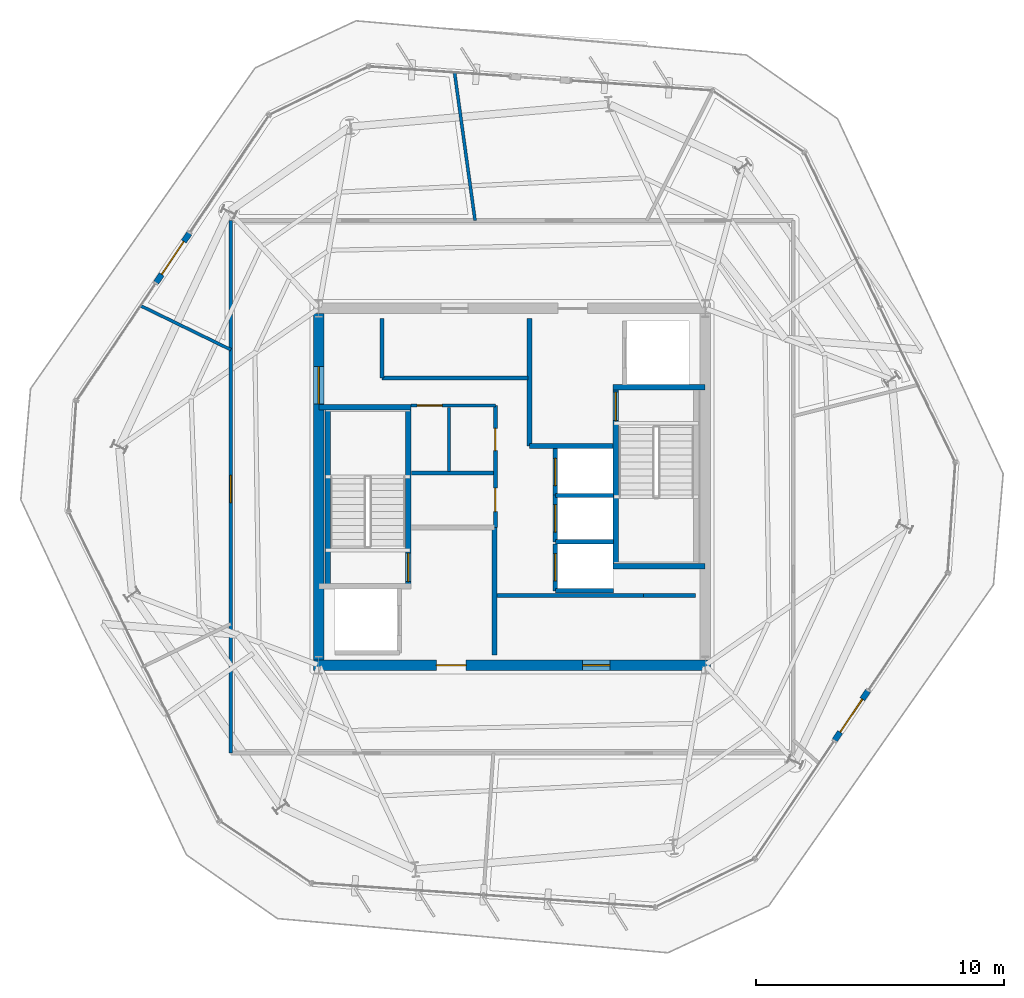
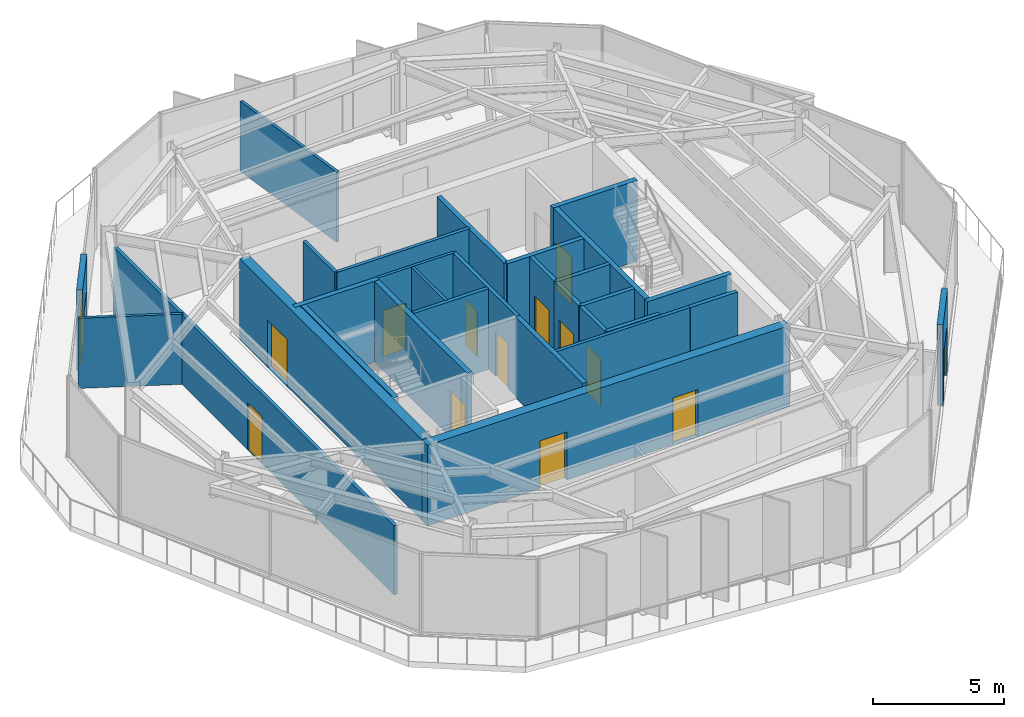
# One storey, part 8 of 12: 30 walls, 14 doors, 14 openings.
"""IFC4 building model written with IfcOpenShell, lengths in metres."""

import ifcopenshell
import ifcopenshell.guid

model = None  # the IFC model being written
_history = None  # IfcOwnerHistory: only IFC2X3 demands one
_inside = {}  # id of a spatial element -> (the spatial element, [elements in it])
_under = {}  # id of a project, library or spatial element -> (it, [spatial elements below it])
_declared = {}  # id of a project -> (the project, [libraries it declares])
_typed = {}  # id of a type object -> (the type object, [elements of that type])
_made_of = {}  # id of a material, layer set ... -> (it, [elements and type objects made of it])


def new_model(schema):
    """Start an empty IFC model of exactly this schema.

    Asked for "IFC4X3", IfcOpenShell would pick the latest addendum, in which some entities
    have other attributes; the version numbers below select the first issue.
    IFC2X3 requires an IfcOwnerHistory on every rooted entity: one is made here for all.
    """
    global model, _history
    if schema == "IFC4X3":
        model = ifcopenshell.file(schema_version=(4, 3, 0, 0))
    else:
        model = ifcopenshell.file(schema=schema)
    _inside.clear()
    _under.clear()
    _declared.clear()
    _typed.clear()
    _made_of.clear()
    _history = None
    if model.schema == "IFC2X3":
        org = make("IfcOrganization", Name="unknown")
        user = make(
            "IfcPersonAndOrganization",
            ThePerson=make("IfcPerson", FamilyName="unknown"),
            TheOrganization=org,
        )
        app = make(
            "IfcApplication",
            ApplicationDeveloper=org,
            Version="unknown",
            ApplicationFullName="unknown",
            ApplicationIdentifier="unknown",
        )
        _history = make(
            "IfcOwnerHistory",
            OwningUser=user,
            OwningApplication=app,
            ChangeAction="ADDED",
            CreationDate=0,
        )
    return model


def make(cls, **values):
    """One entity of the class cls with the attributes given. An attribute that is None is left unset."""
    return model.create_entity(
        cls, **{name: value for name, value in values.items() if value is not None}
    )


def rooted(cls, **values):
    """An entity with a GlobalId (a new one), such as an element, a storey or a relation."""
    return make(cls, GlobalId=ifcopenshell.guid.new(), OwnerHistory=_history, **values)


def si_unit(unit_type, name, prefix=None):
    """IfcSIUnit, for example si_unit("LENGTHUNIT", "METRE", prefix="MILLI")."""
    return make("IfcSIUnit", UnitType=unit_type, Prefix=prefix, Name=name)


def assignment(units):
    """IfcUnitAssignment: the units of a project."""
    return None if units is None else make("IfcUnitAssignment", Units=units)


def point(xyz):
    """IfcCartesianPoint."""
    return None if xyz is None else make("IfcCartesianPoint", Coordinates=xyz)


def direction(xyz):
    """IfcDirection."""
    return None if xyz is None else make("IfcDirection", DirectionRatios=xyz)


def frame(location, z_axis=None, x_axis=None):
    """IfcAxis2Placement3D, a coordinate frame: its origin and axes. An axis left out is left unset."""
    return make(
        "IfcAxis2Placement3D",
        Location=point(location),
        Axis=direction(z_axis),
        RefDirection=direction(x_axis),
    )


def frame_2d(location, x_axis=None):
    """IfcAxis2Placement2D, a coordinate frame in the plane: its origin and x axis."""
    return make(
        "IfcAxis2Placement2D", Location=point(location), RefDirection=direction(x_axis)
    )


def origin():
    """The frame at (0, 0, 0) with its axes left unset."""
    return frame((0.0, 0.0, 0.0))


def place(relative_to, where):
    """IfcLocalPlacement: puts the frame where relative to a parent placement (None: the world)."""
    return make(
        "IfcLocalPlacement", PlacementRelTo=relative_to, RelativePlacement=where
    )


def context(
    kind, dimensions, precision=None, world=None, true_north=None, identifier=None
):
    """IfcGeometricRepresentationContext, for example the 3D "Model" context."""
    return make(
        "IfcGeometricRepresentationContext",
        ContextIdentifier=identifier,
        ContextType=kind,
        CoordinateSpaceDimension=dimensions,
        Precision=precision,
        WorldCoordinateSystem=world,
        TrueNorth=true_north,
    )


def subcontext(parent, identifier, kind, view, scale=None):
    """IfcGeometricRepresentationSubContext, for example "Body" below "Model"."""
    return make(
        "IfcGeometricRepresentationSubContext",
        ContextIdentifier=identifier,
        ContextType=kind,
        ParentContext=parent,
        TargetScale=scale,
        TargetView=view,
    )


def project(units=None, contexts=None):
    """IfcProject with its units and contexts."""
    return rooted(
        "IfcProject",
        Name="project",
        RepresentationContexts=contexts,
        UnitsInContext=assignment(units),
    )


def spatial(cls, under=None, at=None, **own):
    """A site, building, storey or space (cls), placed at a placement, below another one or the project."""
    s = rooted(cls, ObjectPlacement=at, **own)
    if under is not None:
        _under.setdefault(under.id(), (under, []))[1].append(s)
    return s


def profile(cls, at=None, kind="AREA", **sizes):
    """A parametric profile (cls). Its sizes go by their IFC names, for example OverallWidth=200.0."""
    return make(cls, ProfileType=kind, Position=at, **sizes)


def rectangle(**sizes):
    """IfcRectangleProfileDef."""
    return profile("IfcRectangleProfileDef", **sizes)


def extrude(swept, where, along, depth):
    """IfcExtrudedAreaSolid: the profile swept, set in the frame where, extruded along a direction by depth."""
    return make(
        "IfcExtrudedAreaSolid",
        SweptArea=swept,
        Position=where,
        ExtrudedDirection=direction(along),
        Depth=depth,
    )


def shape(context_of_items, identifier, shape_type, items):
    """IfcShapeRepresentation: the items that make up one representation, for example the "Body"."""
    return make(
        "IfcShapeRepresentation",
        ContextOfItems=context_of_items,
        RepresentationIdentifier=identifier,
        RepresentationType=shape_type,
        Items=items,
    )


def material(Name=None, Category=None):
    """IfcMaterial."""
    return make("IfcMaterial", Name=Name, Category=Category)


def layer(
    of_material, thickness, ventilated=None, Name=None, Category=None, Priority=None
):
    """IfcMaterialLayer: one layer of a wall or slab, of a material (None: an air gap)."""
    return make(
        "IfcMaterialLayer",
        Material=of_material,
        LayerThickness=thickness,
        IsVentilated=ventilated,
        Name=Name,
        Category=Category,
        Priority=Priority,
    )


def layer_set(layers, Name=None):
    """IfcMaterialLayerSet."""
    return make("IfcMaterialLayerSet", MaterialLayers=layers, LayerSetName=Name)


def made_of(thing, what):
    """Note that an element or type object is made of a material, layer set ...; save() writes the relation."""
    if what is not None:
        _made_of.setdefault(what.id(), (what, []))[1].append(thing)
    return thing


def type_object(cls, material=None, **own):
    """A type object (cls), such as IfcWallType, which elements share."""
    return made_of(rooted(cls, **own), material)


def element(
    cls,
    number,
    at=None,
    inside=None,
    cuts=None,
    type_object=None,
    material=None,
    context=None,
    identifier="Body",
    shape_type=None,
    held_by="IfcProductDefinitionShape",
    body=None,
    shapes=None,
    **own,
):
    """One element of the class cls, such as IfcWall. Its Tag is "e" and its number.

    at: its placement. inside: the storey or other place that contains it. cuts: it is an
    opening in that element (IfcRelVoidsElement). A single representation is given by context,
    identifier, shape_type and body (its items); several are given by shapes. held_by: the class
    of the entity that holds the representations. save() writes the other relations.
    """
    e = rooted(cls, Tag="e%d" % number, ObjectPlacement=at, **own)
    if body is not None:
        shapes = [shape(context, identifier, shape_type, body)]
    if shapes is not None:
        e.Representation = make(held_by, Representations=shapes)
    if inside is not None:
        _inside.setdefault(inside.id(), (inside, []))[1].append(e)
    if cuts is not None:
        rooted(
            "IfcRelVoidsElement", RelatingBuildingElement=cuts, RelatedOpeningElement=e
        )
    if type_object is not None:
        _typed.setdefault(type_object.id(), (type_object, []))[1].append(e)
    return made_of(e, material)


def fill(opening, filler):
    """IfcRelFillsElement: the door or window that sits in an opening."""
    return rooted(
        "IfcRelFillsElement",
        RelatingOpeningElement=opening,
        RelatedBuildingElement=filler,
    )


def aggregate(whole, parts):
    """IfcRelAggregates: a whole, such as a stair, and the parts it consists of."""
    return rooted("IfcRelAggregates", RelatingObject=whole, RelatedObjects=parts)


def save(model, path):
    """Write the relations noted so far, then the file.

    IfcRelAggregates (storeys below a building ...), IfcRelContainedInSpatialStructure (elements
    in a storey), IfcRelDefinesByType, IfcRelAssociatesMaterial and IfcRelDeclares: one each for
    every whole, place, type object, material and project.
    """
    for whole, parts in _under.values():
        aggregate(whole, parts)
    for where, things in _inside.values():
        rooted(
            "IfcRelContainedInSpatialStructure",
            RelatedElements=things,
            RelatingStructure=where,
        )
    for kind, things in _typed.values():
        rooted("IfcRelDefinesByType", RelatedObjects=things, RelatingType=kind)
    for what, things in _made_of.values():
        rooted("IfcRelAssociatesMaterial", RelatedObjects=things, RelatingMaterial=what)
    for by, libraries in _declared.values():
        rooted("IfcRelDeclares", RelatingContext=by, RelatedDefinitions=libraries)
    model.write(path)


model = new_model("IFC4")

# Units and contexts
model_context = context("Model", 3, precision=1e-05, world=origin(), true_north=direction((0.0, 1.0)))
body_context = subcontext(model_context, "Body", "Model", "MODEL_VIEW")
ifc_project = project(units=[si_unit("LENGTHUNIT", "METRE"), si_unit("AREAUNIT", "SQUARE_METRE"), si_unit("VOLUMEUNIT", "CUBIC_METRE"), si_unit("PLANEANGLEUNIT", "RADIAN"), si_unit("MASSUNIT", "GRAM", prefix="KILO")], contexts=[model_context])

# Site, building, storey
site_placement = place(None, origin())
site = spatial("IfcSite", under=ifc_project, at=site_placement, CompositionType="ELEMENT")
building_placement = place(site_placement, origin())
building = spatial("IfcBuilding", under=site, at=building_placement, Name="Kranzbogen Civic Tower", CompositionType="ELEMENT")
storey_placement = place(building_placement, frame((0.0, 0.0, 250.199951171875)))
storey = spatial("IfcBuildingStorey", under=building, at=storey_placement, Name="L60", CompositionType="ELEMENT", Elevation=250.199951171875)

# Walls
ifc_material_1 = material(Name="Double-Stud Acoustic Gypsum Partition")
ifc_layer_1 = layer(ifc_material_1, 0.14990234375, Name="Double-Stud Acoustic Gypsum Partition")
ifc_layer_set_1 = layer_set([ifc_layer_1], Name="Double-Stud Acoustic Gypsum Partition")
wall_type_1 = type_object("IfcWallType", Name="Acoustic Corridor and Clinical Partition 150 mm", PredefinedType="PARTITIONING", material=ifc_layer_set_1)
wall_1_placement = place(storey_placement, frame((24.39990234375, 20.610107421875, 0.0), z_axis=(0.0, 0.0, 1.0), x_axis=(1.0, 0.0, 0.0)))
element("IfcWall", 1, at=wall_1_placement, inside=storey, type_object=wall_type_1, Name="L60 records zone North wall", PredefinedType="PARTITIONING", context=body_context, shape_type="SweptSolid", body=[
    extrude(rectangle(XDim=5.900146484375, YDim=0.14990234375, at=frame_2d((2.9501953125, 0.0))), origin(), (0.0, 0.0, 1.0), 3.780029296875),
])
wall_2_placement = place(storey_placement, frame((19.75, 29.389892578125, 0.0), z_axis=(0.0, 0.0, 1.0), x_axis=(1.0, 0.0, 0.0)))
element("IfcWall", 2, at=wall_2_placement, inside=storey, type_object=wall_type_1, Name="L60 digital comms South wall", PredefinedType="PARTITIONING", context=body_context, shape_type="SweptSolid", body=[
    extrude(rectangle(XDim=5.89990234375, YDim=0.14990234375, at=frame_2d((2.949951171875, 0.0))), origin(), (0.0, 0.0, 1.0), 3.780029296875),
])
wall_3_placement = place(storey_placement, frame((19.75, 29.389892578125, 0.0), z_axis=(0.0, 0.0, 1.0), x_axis=(0.0, 1.0, 0.0)))
element("IfcWall", 3, at=wall_3_placement, inside=storey, type_object=wall_type_1, Name="L60 digital comms West wall", PredefinedType="PARTITIONING", context=body_context, shape_type="SweptSolid", body=[
    extrude(rectangle(XDim=2.41015625, YDim=0.14990234375, at=frame_2d((1.205078125, 0.0))), origin(), (0.0, 0.0, 1.0), 3.780029296875),
])

# Wall, opening, door
wall_4_placement = place(storey_placement, frame((13.64990234375, 14.25, 0.0), z_axis=(0.0, 0.0, 1.0), x_axis=(0.0, 1.0, 0.0)))
wall_4 = element("IfcWall", 4, at=wall_4_placement, inside=storey, type_object=wall_type_1, Name="L60 corridor partition 04", PredefinedType="PARTITIONING", context=body_context, shape_type="SweptSolid", body=[
    extrude(rectangle(XDim=21.5, YDim=0.14990234375, at=frame_2d((10.75, 0.0))), origin(), (0.0, 0.0, 1.0), 3.25),
])
opening_1_placement = place(wall_4_placement, frame((10.110107421875, 0.0, 0.0)))
opening_1 = element("IfcOpeningElement", 5, at=opening_1_placement, cuts=wall_4, Name="Opening D-COR60", PredefinedType="OPENING", context=body_context, shape_type="SweptSolid", body=[
    extrude(rectangle(XDim=1.10009765625, YDim=2.199951171875, at=frame_2d((0.550048828125, 1.10009765625))), frame((0.0, 0.0849609375, 0.0), z_axis=(0.0, -1.0, 0.0), x_axis=(1.0, 0.0, 0.0)), (0.0, 0.0, 1.0), 0.169921875),
])
ifc_material_2 = material(Name="Oak Timber and Fire Core", Category="wood")
door_type_1 = type_object("IfcDoorType", Name="Corridor Acoustic Fire Door 1100x2200", OperationType="NOTDEFINED", PredefinedType="DOOR", material=ifc_material_2)
door_1_placement = place(opening_1_placement, origin())
door_1 = element("IfcDoor", 6, at=door_1_placement, inside=storey, type_object=door_type_1, Name="L60 Public Delegation Reception door", OperationType="SINGLE_SWING_RIGHT", OverallHeight=2.199951171875, OverallWidth=1.10009765625, PredefinedType="DOOR", context=body_context, shape_type="SweptSolid", body=[
    extrude(rectangle(XDim=1.10009765625, YDim=2.199951171875, at=frame_2d((0.550048828125, 1.10009765625))), frame((0.0, 0.02490234375, 0.0), z_axis=(0.0, -1.0, 0.0), x_axis=(1.0, 0.0, 0.0)), (0.0, 0.0, 1.0), 0.050048828125),
])
fill(opening_1, door_1)

ifc_material_3 = material(Name="Insulated Metal-Stud Gypsum Partition")
ifc_layer_2 = layer(ifc_material_3, 0.125, Name="Insulated Metal-Stud Gypsum Partition")
ifc_layer_set_2 = layer_set([ifc_layer_2], Name="Insulated Metal-Stud Gypsum Partition")
wall_type_2 = type_object("IfcWallType", Name="Acoustic Inter-Room Partition 125 mm", PredefinedType="PARTITIONING", material=ifc_layer_set_2)
wall_5_placement = place(storey_placement, frame((20.919921875, 28.280029296875, 0.0), z_axis=(0.0, 0.0, 1.0), x_axis=(1.0, 0.0, 0.0)))
wall_5 = element("IfcWall", 7, at=wall_5_placement, inside=storey, type_object=wall_type_2, Name="L60 core auxiliary North wall", PredefinedType="PARTITIONING", context=body_context, shape_type="SweptSolid", body=[
    extrude(rectangle(XDim=3.405029296875, YDim=0.125, at=frame_2d((1.70263671875, 0.0))), origin(), (0.0, 0.0, 1.0), 3.780029296875),
])
opening_2_placement = place(wall_5_placement, frame((0.2548828125, 0.0, 0.0)))
opening_2 = element("IfcOpeningElement", 8, at=opening_2_placement, cuts=wall_5, Name="Opening D-RSR10", PredefinedType="OPENING", context=body_context, shape_type="SweptSolid", body=[
    extrude(rectangle(XDim=1.0, YDim=2.14990234375, at=frame_2d((0.5, 1.074951171875))), frame((0.0, 0.072509765625, 0.0), z_axis=(0.0, -1.0, 0.0), x_axis=(1.0, 0.0, 0.0)), (0.0, 0.0, 1.0), 0.14501953125),
])
door_type_2 = type_object("IfcDoorType", Name="Core Archive and Riser Fire Door 1000x2150", OperationType="NOTDEFINED", PredefinedType="DOOR", material=ifc_material_2)
door_2_placement = place(opening_2_placement, origin())
door_2 = element("IfcDoor", 9, at=door_2_placement, inside=storey, type_object=door_type_2, Name="L60 Telecom and Riser Room door", OperationType="SINGLE_SWING_RIGHT", OverallHeight=2.14990234375, OverallWidth=1.0, PredefinedType="DOOR", context=body_context, shape_type="SweptSolid", body=[
    extrude(rectangle(XDim=1.0, YDim=2.14990234375, at=frame_2d((0.5, 1.074951171875))), frame((0.0, 0.02490234375, 0.0), z_axis=(0.0, -1.0, 0.0), x_axis=(1.0, 0.0, 0.0)), (0.0, 0.0, 1.0), 0.050048828125),
])
fill(opening_2, door_2)

# Walls
wall_6_placement = place(storey_placement, frame((22.4599609375, 25.6201171875, 0.0), z_axis=(0.0, 0.0, 1.0), x_axis=(0.0, 1.0, 0.0)))
element("IfcWall", 10, at=wall_6_placement, inside=storey, type_object=wall_type_2, Name="L60 core auxiliary partition 2", PredefinedType="PARTITIONING", context=body_context, shape_type="SweptSolid", body=[
    extrude(rectangle(XDim=2.579833984375, YDim=0.125, at=frame_2d((1.2900390625, 0.0))), origin(), (0.0, 0.0, 1.0), 3.780029296875),
])
wall_7_placement = place(storey_placement, frame((23.509033203125, 35.75, 0.0), z_axis=(0.0, 0.0, 1.0), x_axis=(-0.137333830572, 0.990524819972, 0.0)))
element("IfcWall", 11, at=wall_7_placement, inside=storey, type_object=wall_type_2, Name="L60 radial room partition 01", PredefinedType="PARTITIONING", context=body_context, shape_type="SweptSolid", body=[
    extrude(rectangle(XDim=6.013916015625, YDim=0.125, at=frame_2d((3.0068359375, 0.0))), origin(), (0.0, 0.0, 1.0), 3.280029296875),
])
wall_8_placement = place(storey_placement, frame((13.64990234375, 30.532958984375, 0.0), z_axis=(0.0, 0.0, 1.0), x_axis=(-0.898829990628, 0.438297442324, 0.0)))
element("IfcWall", 12, at=wall_8_placement, inside=storey, type_object=wall_type_2, Name="L60 radial room partition 02", PredefinedType="PARTITIONING", context=body_context, shape_type="SweptSolid", body=[
    extrude(rectangle(XDim=4.04052734375, YDim=0.125, at=frame_2d((2.020263671875, 0.0))), origin(), (0.0, 0.0, 1.0), 3.280029296875),
])

# Wall, openings, doors
ifc_material_4 = material(Name="Concrete C45/55", Category="concrete")
ifc_layer_3 = layer(ifc_material_4, 0.419921875, Name="Concrete C45/55")
ifc_layer_set_3 = layer_set([ifc_layer_3], Name="Concrete C45/55")
wall_type_3 = type_object("IfcWallType", Name="Central Core Shear Wall 420 mm", PredefinedType="SHEAR", material=ifc_layer_set_3)
wall_9_placement = place(storey_placement, frame((16.989990234375, 17.800048828125, 0.0), z_axis=(0.0, 0.0, 1.0), x_axis=(1.0, 0.0, 0.0)))
wall_9 = element("IfcWall", 13, at=wall_9_placement, inside=storey, type_object=wall_type_3, Name="L60 central core South shear wall", PredefinedType="SHEAR", context=body_context, shape_type="SweptSolid", body=[
    extrude(rectangle(XDim=16.02001953125, YDim=0.419921875, at=frame_2d((8.010009765625, 0.0))), origin(), (0.0, 0.0, 1.0), 3.780029296875),
])
opening_3_placement = place(wall_9_placement, frame((4.9599609375, 0.0, 0.0)))
opening_3 = element("IfcOpeningElement", 14, at=opening_3_placement, cuts=wall_9, Name="Opening D-EX120", PredefinedType="OPENING", context=body_context, shape_type="SweptSolid", body=[
    extrude(rectangle(XDim=1.199951171875, YDim=2.25, at=frame_2d((0.60009765625, 1.125))), frame((0.0, 0.219970703125, 0.0), z_axis=(0.0, -1.0, 0.0), x_axis=(1.0, 0.0, 0.0)), (0.0, 0.0, 1.0), 0.43994140625),
])
opening_4_placement = place(wall_9_placement, frame((10.860107421875, 0.0, 0.0)))
opening_4 = element("IfcOpeningElement", 15, at=opening_4_placement, cuts=wall_9, Name="Opening D-COR60", PredefinedType="OPENING", context=body_context, shape_type="SweptSolid", body=[
    extrude(rectangle(XDim=1.10009765625, YDim=2.199951171875, at=frame_2d((0.550048828125, 1.10009765625))), frame((0.0, 0.219970703125, 0.0), z_axis=(0.0, -1.0, 0.0), x_axis=(1.0, 0.0, 0.0)), (0.0, 0.0, 1.0), 0.43994140625),
])
door_3_placement = place(opening_4_placement, origin())
door_3 = element("IfcDoor", 16, at=door_3_placement, inside=storey, type_object=door_type_1, Name="L60 REC1 archive room door", OperationType="SINGLE_SWING_RIGHT", OverallHeight=2.199951171875, OverallWidth=1.10009765625, PredefinedType="DOOR", context=body_context, shape_type="SweptSolid", body=[
    extrude(rectangle(XDim=1.10009765625, YDim=2.199951171875, at=frame_2d((0.550048828125, 1.10009765625))), frame((0.0, 0.02490234375, 0.0), z_axis=(0.0, -1.0, 0.0), x_axis=(1.0, 0.0, 0.0)), (0.0, 0.0, 1.0), 0.050048828125),
])
fill(opening_4, door_3)
ifc_material_5 = material(Name="Steel S355", Category="steel")
door_type_3 = type_object("IfcDoorType", Name="Exit Passageway Fire Door 1200x2250", OperationType="NOTDEFINED", PredefinedType="DOOR", material=ifc_material_5)
door_4_placement = place(opening_3_placement, origin())
door_4 = element("IfcDoor", 17, at=door_4_placement, inside=storey, type_object=door_type_3, Name="L60 West firefighting lobby corridor door", OperationType="SINGLE_SWING_LEFT", OverallHeight=2.25, OverallWidth=1.199951171875, PredefinedType="DOOR", context=body_context, shape_type="SweptSolid", body=[
    extrude(rectangle(XDim=1.199951171875, YDim=2.25, at=frame_2d((0.60009765625, 1.125))), frame((0.0, 0.02490234375, 0.0), z_axis=(0.0, -1.0, 0.0), x_axis=(1.0, 0.0, 0.0)), (0.0, 0.0, 1.0), 0.050048828125),
])
fill(opening_3, door_4)

# Wall, opening, door
wall_10_placement = place(storey_placement, frame((17.199951171875, 31.989990234375, 0.0), z_axis=(0.0, 0.0, 1.0), x_axis=(0.0, -1.0, 0.0)))
wall_10 = element("IfcWall", 18, at=wall_10_placement, inside=storey, type_object=wall_type_3, Name="L60 central core West shear wall", PredefinedType="SHEAR", context=body_context, shape_type="SweptSolid", body=[
    extrude(rectangle(XDim=13.97998046875, YDim=0.419921875, at=frame_2d((6.989990234375, 0.0))), origin(), (0.0, 0.0, 1.0), 3.780029296875),
])
opening_5_placement = place(wall_10_placement, frame((2.139892578125, 0.0, 0.0)))
opening_5 = element("IfcOpeningElement", 19, at=opening_5_placement, cuts=wall_10, Name="Opening D-DBL15", PredefinedType="OPENING", context=body_context, shape_type="SweptSolid", body=[
    extrude(rectangle(XDim=1.5, YDim=2.199951171875, at=frame_2d((0.75, 1.10009765625))), frame((0.0, 0.219970703125, 0.0), z_axis=(0.0, -1.0, 0.0), x_axis=(1.0, 0.0, 0.0)), (0.0, 0.0, 1.0), 0.43994140625),
])
ifc_material_6 = material(Name="Anodised Bronze and Glass", Category="glass")
door_type_4 = type_object("IfcDoorType", Name="Civic Lobby Double Door 1500x2200", OperationType="DOUBLE_DOOR_SINGLE_SWING", PredefinedType="DOOR", material=ifc_material_6)
door_5_placement = place(opening_5_placement, origin())
door_5 = element("IfcDoor", 20, at=door_5_placement, inside=storey, type_object=door_type_4, Name="L60 Central Lift Lobby West concourse door", OperationType="DOUBLE_DOOR_SINGLE_SWING", OverallHeight=2.199951171875, OverallWidth=1.5, PredefinedType="DOOR", context=body_context, shape_type="SweptSolid", body=[
    extrude(rectangle(XDim=1.5, YDim=2.199951171875, at=frame_2d((0.75, 1.10009765625))), frame((0.0, 0.02490234375, 0.0), z_axis=(0.0, -1.0, 0.0), x_axis=(1.0, 0.0, 0.0)), (0.0, 0.0, 1.0), 0.050048828125),
])
fill(opening_5, door_5)

ifc_layer_4 = layer(ifc_material_4, 0.219970703125, Name="Concrete C45/55")
ifc_layer_set_4 = layer_set([ifc_layer_4], Name="Concrete C45/55")
wall_type_4 = type_object("IfcWallType", Name="Core Internal Stair Structural Wall 220 mm", PredefinedType="SOLIDWALL", material=ifc_layer_set_4)
wall_11_placement = place(storey_placement, frame((20.81005859375, 20.989990234375, 0.0), z_axis=(0.0, 0.0, 1.0), x_axis=(0.0, 1.0, 0.0)))
wall_11 = element("IfcWall", 21, at=wall_11_placement, inside=storey, type_object=wall_type_4, Name="L60 ST-T1 East structural stair wall", PredefinedType="SOLIDWALL", context=body_context, shape_type="SweptSolid", body=[
    extrude(rectangle(XDim=7.219970703125, YDim=0.219970703125, at=frame_2d((3.60986328125, 0.0))), origin(), (0.0, 0.0, 1.0), 3.780029296875),
])
opening_6_placement = place(wall_11_placement, frame((0.179931640625, 0.0, 0.0)))
opening_6 = element("IfcOpeningElement", 22, at=opening_6_placement, cuts=wall_11, Name="Opening D-ST90", PredefinedType="OPENING", context=body_context, shape_type="SweptSolid", body=[
    extrude(rectangle(XDim=1.14990234375, YDim=2.199951171875, at=frame_2d((0.574951171875, 1.10009765625))), frame((0.0, 0.1201171875, 0.0), z_axis=(0.0, -1.0, 0.0), x_axis=(1.0, 0.0, 0.0)), (0.0, 0.0, 1.0), 0.239990234375),
])
door_type_5 = type_object("IfcDoorType", Name="Pressurized Stair and Lobby Fire Door 1150x2200", OperationType="NOTDEFINED", PredefinedType="DOOR", material=ifc_material_5)
door_6_placement = place(opening_6_placement, origin())
door_6 = element("IfcDoor", 23, at=door_6_placement, inside=storey, type_object=door_type_5, Name="L60 Stair ST-T1 fire door", OperationType="SINGLE_SWING_LEFT", OverallHeight=2.199951171875, OverallWidth=1.14990234375, PredefinedType="DOOR", context=body_context, shape_type="SweptSolid", body=[
    extrude(rectangle(XDim=1.14990234375, YDim=2.199951171875, at=frame_2d((0.574951171875, 1.10009765625))), frame((0.0, 0.02490234375, 0.0), z_axis=(0.0, -1.0, 0.0), x_axis=(1.0, 0.0, 0.0)), (0.0, 0.0, 1.0), 0.050048828125),
])
fill(opening_6, door_6)

# Walls
wall_12_placement = place(storey_placement, frame((17.199951171875, 28.2099609375, 0.0), z_axis=(0.0, 0.0, 1.0), x_axis=(1.0, 0.0, 0.0)))
element("IfcWall", 24, at=wall_12_placement, inside=storey, type_object=wall_type_4, Name="L60 ST-T1 North structural stair wall", PredefinedType="SOLIDWALL", context=body_context, shape_type="SweptSolid", body=[
    extrude(rectangle(XDim=3.719970703125, YDim=0.219970703125, at=frame_2d((1.85986328125, 0.0))), origin(), (0.0, 0.0, 1.0), 3.780029296875),
])
wall_13_placement = place(storey_placement, frame((17.554931640625, 28.2099609375, 0.0), z_axis=(0.0, 0.0, 1.0), x_axis=(0.0, -1.0, 0.0)))
element("IfcWall", 25, at=wall_13_placement, inside=storey, type_object=wall_type_4, Name="L60 ST-T1 West structural stair wall", PredefinedType="SOLIDWALL", context=body_context, shape_type="SweptSolid", body=[
    extrude(rectangle(XDim=7.219970703125, YDim=0.219970703125, at=frame_2d((3.60986328125, 0.0))), origin(), (0.0, 0.0, 1.0), 3.780029296875),
])

# Wall, opening, door
wall_14_placement = place(storey_placement, frame((29.18994140625, 21.7900390625, 0.0), z_axis=(0.0, 0.0, 1.0), x_axis=(0.0, 1.0, 0.0)))
wall_14 = element("IfcWall", 26, at=wall_14_placement, inside=storey, type_object=wall_type_4, Name="L60 ST-T2 West structural stair wall", PredefinedType="SOLIDWALL", context=body_context, shape_type="SweptSolid", body=[
    extrude(rectangle(XDim=7.219970703125, YDim=0.219970703125, at=frame_2d((3.60986328125, 0.0))), origin(), (0.0, 0.0, 1.0), 3.780029296875),
])
opening_7_placement = place(wall_14_placement, frame((5.8798828125, 0.0, 0.0)))
opening_7 = element("IfcOpeningElement", 27, at=opening_7_placement, cuts=wall_14, Name="Opening D-ST90", PredefinedType="OPENING", context=body_context, shape_type="SweptSolid", body=[
    extrude(rectangle(XDim=1.14990234375, YDim=2.199951171875, at=frame_2d((0.574951171875, 1.10009765625))), frame((0.0, 0.1201171875, 0.0), z_axis=(0.0, -1.0, 0.0), x_axis=(1.0, 0.0, 0.0)), (0.0, 0.0, 1.0), 0.239990234375),
])
door_7_placement = place(opening_7_placement, origin())
door_7 = element("IfcDoor", 28, at=door_7_placement, inside=storey, type_object=door_type_5, Name="L60 Stair ST-T2 fire door", OperationType="SINGLE_SWING_RIGHT", OverallHeight=2.199951171875, OverallWidth=1.14990234375, PredefinedType="DOOR", context=body_context, shape_type="SweptSolid", body=[
    extrude(rectangle(XDim=1.14990234375, YDim=2.199951171875, at=frame_2d((0.574951171875, 1.10009765625))), frame((0.0, 0.02490234375, 0.0), z_axis=(0.0, -1.0, 0.0), x_axis=(1.0, 0.0, 0.0)), (0.0, 0.0, 1.0), 0.050048828125),
])
fill(opening_7, door_7)

# Walls
for number, where, z_axis, x_axis, name in (
    (29, (29.080078125, 21.7900390625, 0.0), (0.0, 0.0, 1.0), (1.0, 0.0, 0.0), "L60 ST-T2 South structural stair wall"),
    (30, (29.080078125, 29.010009765625, 0.0), (0.0, 0.0, 1.0), (1.0, 0.0, 0.0), "L60 ST-T2 North structural stair wall"),
):
    element("IfcWall", number, at=place(storey_placement, frame(where, z_axis=z_axis, x_axis=x_axis)), inside=storey, type_object=wall_type_4, Name=name, PredefinedType="SOLIDWALL", context=body_context, shape_type="SweptSolid", body=[
        extrude(rectangle(XDim=3.719970703125, YDim=0.219970703125, at=frame_2d((1.85986328125, 0.0))), origin(), (0.0, 0.0, 1.0), 3.780029296875),
    ])
ifc_material_7 = material(Name="Gypsum Fireboard and Concrete Block", Category="concrete")
ifc_layer_5 = layer(ifc_material_7, 0.199951171875, Name="Gypsum Fireboard and Concrete Block")
ifc_layer_set_5 = layer_set([ifc_layer_5], Name="Gypsum Fireboard and Concrete Block")
wall_type_5 = type_object("IfcWallType", Name="Fire-Rated Exit Passageway and Stair Wall 200 mm", PredefinedType="PARTITIONING", material=ifc_layer_set_5)
for number, where, z_axis, x_axis, name in (
    (31, (24.300048828125, 18.199951171875, 0.0), (0.0, 0.0, 1.0), (0.0, 1.0, 0.0), "L60 West firefighting lobby East wall"),
    (32, (25.699951171875, 26.64990234375, 0.0), (0.0, 0.0, 1.0), (0.0, 1.0, 0.0), "L60 East firefighting lobby West wall"),
):
    element("IfcWall", number, at=place(storey_placement, frame(where, z_axis=z_axis, x_axis=x_axis)), inside=storey, type_object=wall_type_5, Name=name, PredefinedType="PARTITIONING", context=body_context, shape_type="SweptSolid", body=[
        extrude(rectangle(XDim=5.150146484375, YDim=0.199951171875, at=frame_2d((2.5751953125, 0.0))), origin(), (0.0, 0.0, 1.0), 3.780029296875),
    ])
wall_15_placement = place(storey_placement, frame((25.699951171875, 26.64990234375, 0.0), z_axis=(0.0, 0.0, 1.0), x_axis=(1.0, 0.0, 0.0)))
element("IfcWall", 33, at=wall_15_placement, inside=storey, type_object=wall_type_5, Name="L60 East firefighting lobby South wall", PredefinedType="PARTITIONING", context=body_context, shape_type="SweptSolid", body=[
    extrude(rectangle(XDim=3.380126953125, YDim=0.199951171875, at=frame_2d((1.68994140625, 0.0))), origin(), (0.0, 0.0, 1.0), 3.780029296875),
])
ifc_material_8 = material(Name="Gypsum Fireboard Shaftliner")
ifc_layer_6 = layer(ifc_material_8, 0.175048828125, Name="Gypsum Fireboard Shaftliner")
ifc_layer_set_6 = layer_set([ifc_layer_6], Name="Gypsum Fireboard Shaftliner")
wall_type_6 = type_object("IfcWallType", Name="Fire-Rated Lift and Service Shaft Wall 175 mm", PredefinedType="PARTITIONING", material=ifc_layer_set_6)
wall_16_placement = place(storey_placement, frame((30.300048828125, 20.610107421875, 0.0), z_axis=(0.0, 0.0, 1.0), x_axis=(1.0, 0.0, 0.0)))
element("IfcWall", 34, at=wall_16_placement, inside=storey, type_object=wall_type_6, Name="L60 merged archive North wall", PredefinedType="PARTITIONING", context=body_context, shape_type="SweptSolid", body=[
    extrude(rectangle(XDim=2.099853515625, YDim=0.175048828125, at=frame_2d((1.0498046875, 0.0))), origin(), (0.0, 0.0, 1.0), 3.780029296875),
])

# Wall, opening, door
wall_17_placement = place(storey_placement, frame((26.75, 20.800048828125, 0.0), z_axis=(0.0, 0.0, 1.0), x_axis=(0.0, 1.0, 0.0)))
wall_17 = element("IfcWall", 35, at=wall_17_placement, inside=storey, type_object=wall_type_6, Name="L60 lift HP-01 landing wall", PredefinedType="PARTITIONING", context=body_context, shape_type="SweptSolid", body=[
    extrude(rectangle(XDim=1.89990234375, YDim=0.175048828125, at=frame_2d((0.949951171875, 0.0))), origin(), (0.0, 0.0, 1.0), 3.780029296875),
])
opening_8_placement = place(wall_17_placement, frame((0.39990234375, 0.0, 0.0)))
opening_8 = element("IfcOpeningElement", 36, at=opening_8_placement, cuts=wall_17, Name="Opening LD-HP-01", PredefinedType="OPENING", context=body_context, shape_type="SweptSolid", body=[
    extrude(rectangle(XDim=1.10009765625, YDim=2.199951171875, at=frame_2d((0.550048828125, 1.10009765625))), frame((0.0, 0.09765625, 0.0), z_axis=(0.0, -1.0, 0.0), x_axis=(1.0, 0.0, 0.0)), (0.0, 0.0, 1.0), 0.195068359375),
])
ifc_material_9 = material(Name="Pale Anodised Aluminium", Category="aluminium")
door_type_6 = type_object("IfcDoorType", Name="Passenger Lift Sliding Landing Door 1100x2200", OperationType="DOUBLE_DOOR_SLIDING", PredefinedType="DOOR", material=ifc_material_9)
door_8_placement = place(opening_8_placement, origin())
door_8 = element("IfcDoor", 37, at=door_8_placement, inside=storey, type_object=door_type_6, Name="L60 lift HP-01 sliding landing door", OperationType="DOUBLE_DOOR_SLIDING", OverallHeight=2.199951171875, OverallWidth=1.10009765625, PredefinedType="DOOR", context=body_context, shape_type="SweptSolid", body=[
    extrude(rectangle(XDim=1.10009765625, YDim=2.199951171875, at=frame_2d((0.550048828125, 1.10009765625))), frame((0.0, 0.02490234375, 0.0), z_axis=(0.0, -1.0, 0.0), x_axis=(1.0, 0.0, 0.0)), (0.0, 0.0, 1.0), 0.050048828125),
])
fill(opening_8, door_8)

# Wall
wall_18_placement = place(storey_placement, frame((26.75, 20.800048828125, 0.0), z_axis=(0.0, 0.0, 1.0), x_axis=(1.0, 0.0, 0.0)))
element("IfcWall", 38, at=wall_18_placement, inside=storey, type_object=wall_type_6, Name="L60 lift HP-01 side wall", PredefinedType="PARTITIONING", context=body_context, shape_type="SweptSolid", body=[
    extrude(rectangle(XDim=2.35009765625, YDim=0.175048828125, at=frame_2d((1.175048828125, 0.0))), origin(), (0.0, 0.0, 1.0), 3.780029296875),
])

# Wall, opening, door
wall_19_placement = place(storey_placement, frame((26.75, 22.77490234375, 0.0), z_axis=(0.0, 0.0, 1.0), x_axis=(0.0, 1.0, 0.0)))
wall_19 = element("IfcWall", 39, at=wall_19_placement, inside=storey, type_object=wall_type_6, Name="L60 lift HP-02 landing wall", PredefinedType="PARTITIONING", context=body_context, shape_type="SweptSolid", body=[
    extrude(rectangle(XDim=1.900146484375, YDim=0.175048828125, at=frame_2d((0.9501953125, 0.0))), origin(), (0.0, 0.0, 1.0), 3.780029296875),
])
opening_9_placement = place(wall_19_placement, frame((0.39990234375, 0.0, 0.0)))
opening_9 = element("IfcOpeningElement", 40, at=opening_9_placement, cuts=wall_19, Name="Opening LD-HP-02", PredefinedType="OPENING", context=body_context, shape_type="SweptSolid", body=[
    extrude(rectangle(XDim=1.10009765625, YDim=2.199951171875, at=frame_2d((0.550048828125, 1.10009765625))), frame((0.0, 0.09765625, 0.0), z_axis=(0.0, -1.0, 0.0), x_axis=(1.0, 0.0, 0.0)), (0.0, 0.0, 1.0), 0.195068359375),
])
door_9_placement = place(opening_9_placement, origin())
door_9 = element("IfcDoor", 41, at=door_9_placement, inside=storey, type_object=door_type_6, Name="L60 lift HP-02 sliding landing door", OperationType="DOUBLE_DOOR_SLIDING", OverallHeight=2.199951171875, OverallWidth=1.10009765625, PredefinedType="DOOR", context=body_context, shape_type="SweptSolid", body=[
    extrude(rectangle(XDim=1.10009765625, YDim=2.199951171875, at=frame_2d((0.550048828125, 1.10009765625))), frame((0.0, 0.02490234375, 0.0), z_axis=(0.0, -1.0, 0.0), x_axis=(1.0, 0.0, 0.0)), (0.0, 0.0, 1.0), 0.050048828125),
])
fill(opening_9, door_9)

# Wall
wall_20_placement = place(storey_placement, frame((26.75, 22.77490234375, 0.0), z_axis=(0.0, 0.0, 1.0), x_axis=(1.0, 0.0, 0.0)))
element("IfcWall", 42, at=wall_20_placement, inside=storey, type_object=wall_type_6, Name="L60 lift HP-02 side wall", PredefinedType="PARTITIONING", context=body_context, shape_type="SweptSolid", body=[
    extrude(rectangle(XDim=2.35009765625, YDim=0.175048828125, at=frame_2d((1.175048828125, 0.0))), origin(), (0.0, 0.0, 1.0), 3.780029296875),
])

# Wall, opening, door
wall_21_placement = place(storey_placement, frame((26.75, 24.64990234375, 0.0), z_axis=(0.0, 0.0, 1.0), x_axis=(0.0, 1.0, 0.0)))
wall_21 = element("IfcWall", 43, at=wall_21_placement, inside=storey, type_object=wall_type_6, Name="L60 lift HP-03 landing wall", PredefinedType="PARTITIONING", context=body_context, shape_type="SweptSolid", body=[
    extrude(rectangle(XDim=1.900146484375, YDim=0.175048828125, at=frame_2d((0.9501953125, 0.0))), origin(), (0.0, 0.0, 1.0), 3.780029296875),
])
opening_10_placement = place(wall_21_placement, frame((0.39990234375, 0.0, 0.0)))
opening_10 = element("IfcOpeningElement", 44, at=opening_10_placement, cuts=wall_21, Name="Opening LD-HP-03", PredefinedType="OPENING", context=body_context, shape_type="SweptSolid", body=[
    extrude(rectangle(XDim=1.10009765625, YDim=2.199951171875, at=frame_2d((0.550048828125, 1.10009765625))), frame((0.0, 0.09765625, 0.0), z_axis=(0.0, -1.0, 0.0), x_axis=(1.0, 0.0, 0.0)), (0.0, 0.0, 1.0), 0.195068359375),
])
door_10_placement = place(opening_10_placement, origin())
door_10 = element("IfcDoor", 45, at=door_10_placement, inside=storey, type_object=door_type_6, Name="L60 lift HP-03 sliding landing door", OperationType="DOUBLE_DOOR_SLIDING", OverallHeight=2.199951171875, OverallWidth=1.10009765625, PredefinedType="DOOR", context=body_context, shape_type="SweptSolid", body=[
    extrude(rectangle(XDim=1.10009765625, YDim=2.199951171875, at=frame_2d((0.550048828125, 1.10009765625))), frame((0.0, 0.02490234375, 0.0), z_axis=(0.0, -1.0, 0.0), x_axis=(1.0, 0.0, 0.0)), (0.0, 0.0, 1.0), 0.050048828125),
])
fill(opening_10, door_10)

# Wall
wall_22_placement = place(storey_placement, frame((26.75, 24.64990234375, 0.0), z_axis=(0.0, 0.0, 1.0), x_axis=(1.0, 0.0, 0.0)))
element("IfcWall", 46, at=wall_22_placement, inside=storey, type_object=wall_type_6, Name="L60 lift HP-03 side wall", PredefinedType="PARTITIONING", context=body_context, shape_type="SweptSolid", body=[
    extrude(rectangle(XDim=2.35009765625, YDim=0.175048828125, at=frame_2d((1.175048828125, 0.0))), origin(), (0.0, 0.0, 1.0), 3.780029296875),
])

# Wall, opening, door
ifc_layer_7 = layer(ifc_material_9, 0.239990234375, Name="Pale Anodised Aluminium")
ifc_layer_set_7 = layer_set([ifc_layer_7], Name="Pale Anodised Aluminium")
wall_type_7 = type_object("IfcWallType", Name="Insulated Aluminium Facade Portal Wall 240 mm", PredefinedType="STANDARD", material=ifc_layer_set_7)
wall_23_placement = place(storey_placement, frame((11.97509765625, 35.23388671875, 0.0), z_axis=(0.0, 0.0, 1.0), x_axis=(-0.559128660759, -0.82908090119, 0.0)))
wall_23 = element("IfcWall", 47, at=wall_23_placement, inside=storey, type_object=wall_type_7, Name="L60 exterior entrance portal wall 1", PredefinedType="STANDARD", context=body_context, shape_type="SweptSolid", body=[
    extrude(rectangle(XDim=2.400146484375, YDim=0.239990234375, at=frame_2d((1.2001953125, 0.0))), origin(), (0.0, 0.0, 1.0), 3.780029296875),
])
opening_11_placement = place(wall_23_placement, frame((0.39990234375, 0.0, 0.0)))
opening_11 = element("IfcOpeningElement", 48, at=opening_11_placement, cuts=wall_23, Name="Opening D-TER", PredefinedType="OPENING", context=body_context, shape_type="SweptSolid", body=[
    extrude(rectangle(XDim=1.60009765625, YDim=2.25, at=frame_2d((0.800048828125, 1.125))), frame((0.0, 0.1298828125, 0.0), z_axis=(0.0, -1.0, 0.0), x_axis=(1.0, 0.0, 0.0)), (0.0, 0.0, 1.0), 0.260009765625),
])
ifc_material_10 = material(Name="Anodised Bronze and Triple Glass", Category="glass")
door_type_7 = type_object("IfcDoorType", Name="Glazed Terrace and Balcony Double Door 1600x2250", OperationType="DOUBLE_DOOR_SINGLE_SWING", PredefinedType="DOOR", material=ifc_material_10)
door_11_placement = place(opening_11_placement, frame((1.60009765625, 0.0, 0.0), z_axis=(0.0, 0.0, 1.0), x_axis=(-1.0, 0.0, 0.0)))
door_11 = element("IfcDoor", 49, at=door_11_placement, inside=storey, type_object=door_type_7, Name="L60 tree balcony access door L60-TB1", OperationType="DOUBLE_DOOR_SINGLE_SWING", OverallHeight=2.25, OverallWidth=1.60009765625, PredefinedType="DOOR", context=body_context, shape_type="SweptSolid", body=[
    extrude(rectangle(XDim=1.60009765625, YDim=2.25, at=frame_2d((0.800048828125, 1.125))), frame((0.0, 0.02490234375, 0.0), z_axis=(0.0, -1.0, 0.0), x_axis=(1.0, 0.0, 0.0)), (0.0, 0.0, 1.0), 0.050048828125),
])
fill(opening_11, door_11)

wall_24_placement = place(storey_placement, frame((38.02490234375, 14.76611328125, 0.0), z_axis=(0.0, 0.0, 1.0), x_axis=(0.559128660759, 0.82908090119, 0.0)))
wall_24 = element("IfcWall", 50, at=wall_24_placement, inside=storey, type_object=wall_type_7, Name="L60 exterior entrance portal wall 1", PredefinedType="STANDARD", context=body_context, shape_type="SweptSolid", body=[
    extrude(rectangle(XDim=2.400146484375, YDim=0.239990234375, at=frame_2d((1.2001953125, 0.0))), origin(), (0.0, 0.0, 1.0), 3.780029296875),
])
opening_12_placement = place(wall_24_placement, frame((0.39990234375, 0.0, 0.0)))
opening_12 = element("IfcOpeningElement", 51, at=opening_12_placement, cuts=wall_24, Name="Opening D-TER", PredefinedType="OPENING", context=body_context, shape_type="SweptSolid", body=[
    extrude(rectangle(XDim=1.60009765625, YDim=2.25, at=frame_2d((0.800048828125, 1.125))), frame((0.0, 0.1298828125, 0.0), z_axis=(0.0, -1.0, 0.0), x_axis=(1.0, 0.0, 0.0)), (0.0, 0.0, 1.0), 0.260009765625),
])
door_12_placement = place(opening_12_placement, frame((1.60009765625, 0.0, 0.0), z_axis=(0.0, 0.0, 1.0), x_axis=(-1.0, 0.0, 0.0)))
door_12 = element("IfcDoor", 52, at=door_12_placement, inside=storey, type_object=door_type_7, Name="L60 tree balcony access door L60-TB2", OperationType="DOUBLE_DOOR_SINGLE_SWING", OverallHeight=2.25, OverallWidth=1.60009765625, PredefinedType="DOOR", context=body_context, shape_type="SweptSolid", body=[
    extrude(rectangle(XDim=1.60009765625, YDim=2.25, at=frame_2d((0.800048828125, 1.125))), frame((0.0, 0.02490234375, 0.0), z_axis=(0.0, -1.0, 0.0), x_axis=(1.0, 0.0, 0.0)), (0.0, 0.0, 1.0), 0.050048828125),
])
fill(opening_12, door_12)

# Wall, openings, doors
ifc_material_11 = material(Name="Moisture-Resistant Gypsum Assembly")
ifc_layer_8 = layer(ifc_material_11, 0.159912109375, Name="Moisture-Resistant Gypsum Assembly")
ifc_layer_set_8 = layer_set([ifc_layer_8], Name="Moisture-Resistant Gypsum Assembly")
wall_type_8 = type_object("IfcWallType", Name="Sanitary and Plumbing Wet Wall 160 mm", PredefinedType="PLUMBINGWALL", material=ifc_layer_set_8)
wall_25_placement = place(storey_placement, frame((24.324951171875, 23.35009765625, 0.0), z_axis=(0.0, 0.0, 1.0), x_axis=(0.0, 1.0, 0.0)))
wall_25 = element("IfcWall", 53, at=wall_25_placement, inside=storey, type_object=wall_type_8, Name="L60 core auxiliary East wall", PredefinedType="PLUMBINGWALL", context=body_context, shape_type="SweptSolid", body=[
    extrude(rectangle(XDim=4.929931640625, YDim=0.159912109375, at=frame_2d((2.46484375, 0.0))), origin(), (0.0, 0.0, 1.0), 3.780029296875),
])
opening_13_placement = place(wall_25_placement, frame((0.64990234375, 0.0, 0.0)))
opening_13 = element("IfcOpeningElement", 54, at=opening_13_placement, cuts=wall_25, Name="Opening D-AWC95", PredefinedType="OPENING", context=body_context, shape_type="SweptSolid", body=[
    extrude(rectangle(XDim=0.949951171875, YDim=2.10009765625, at=frame_2d((0.47509765625, 1.050048828125))), frame((0.0, 0.08984375, 0.0), z_axis=(0.0, -1.0, 0.0), x_axis=(1.0, 0.0, 0.0)), (0.0, 0.0, 1.0), 0.179931640625),
])
opening_14_placement = place(wall_25_placement, frame((3.110107421875, 0.0, 0.0)))
opening_14 = element("IfcOpeningElement", 55, at=opening_14_placement, cuts=wall_25, Name="Opening D-WC90", PredefinedType="OPENING", context=body_context, shape_type="SweptSolid", body=[
    extrude(rectangle(XDim=0.89990234375, YDim=2.10009765625, at=frame_2d((0.449951171875, 1.050048828125))), frame((0.0, 0.08984375, 0.0), z_axis=(0.0, -1.0, 0.0), x_axis=(1.0, 0.0, 0.0)), (0.0, 0.0, 1.0), 0.179931640625),
])
ifc_material_12 = material(Name="Moisture-Resistant Laminate")
door_type_8 = type_object("IfcDoorType", Name="Accessible Restroom Door 950x2100", OperationType="NOTDEFINED", PredefinedType="DOOR", material=ifc_material_12)
door_13_placement = place(opening_13_placement, origin())
door_13 = element("IfcDoor", 56, at=door_13_placement, inside=storey, type_object=door_type_8, Name="L60 Accessible Restroom door", OperationType="SINGLE_SWING_LEFT", OverallHeight=2.10009765625, OverallWidth=0.949951171875, PredefinedType="DOOR", context=body_context, shape_type="SweptSolid", body=[
    extrude(rectangle(XDim=0.949951171875, YDim=2.10009765625, at=frame_2d((0.47509765625, 1.050048828125))), frame((0.0, 0.02490234375, 0.0), z_axis=(0.0, -1.0, 0.0), x_axis=(1.0, 0.0, 0.0)), (0.0, 0.0, 1.0), 0.050048828125),
])
fill(opening_13, door_13)
door_type_9 = type_object("IfcDoorType", Name="Standard Restroom and Store Door 900x2100", OperationType="NOTDEFINED", PredefinedType="DOOR", material=ifc_material_12)
door_14_placement = place(opening_14_placement, origin())
door_14 = element("IfcDoor", 57, at=door_14_placement, inside=storey, type_object=door_type_9, Name="L60 Staff Restroom door", OperationType="SINGLE_SWING_LEFT", OverallHeight=2.10009765625, OverallWidth=0.89990234375, PredefinedType="DOOR", context=body_context, shape_type="SweptSolid", body=[
    extrude(rectangle(XDim=0.89990234375, YDim=2.10009765625, at=frame_2d((0.449951171875, 1.050048828125))), frame((0.0, 0.02490234375, 0.0), z_axis=(0.0, -1.0, 0.0), x_axis=(1.0, 0.0, 0.0)), (0.0, 0.0, 1.0), 0.050048828125),
])
fill(opening_14, door_14)

# Wall
wall_26_placement = place(storey_placement, frame((20.949951171875, 25.56005859375, 0.0), z_axis=(0.0, 0.0, 1.0), x_axis=(1.0, 0.0, 0.0)))
element("IfcWall", 58, at=wall_26_placement, inside=storey, type_object=wall_type_8, Name="L60 core auxiliary partition 1", PredefinedType="PLUMBINGWALL", context=body_context, shape_type="SweptSolid", body=[
    extrude(rectangle(XDim=3.300048828125, YDim=0.159912109375, at=frame_2d((1.64990234375, 0.0))), origin(), (0.0, 0.0, 1.0), 3.780029296875),
])

save(model, "model.ifc")
